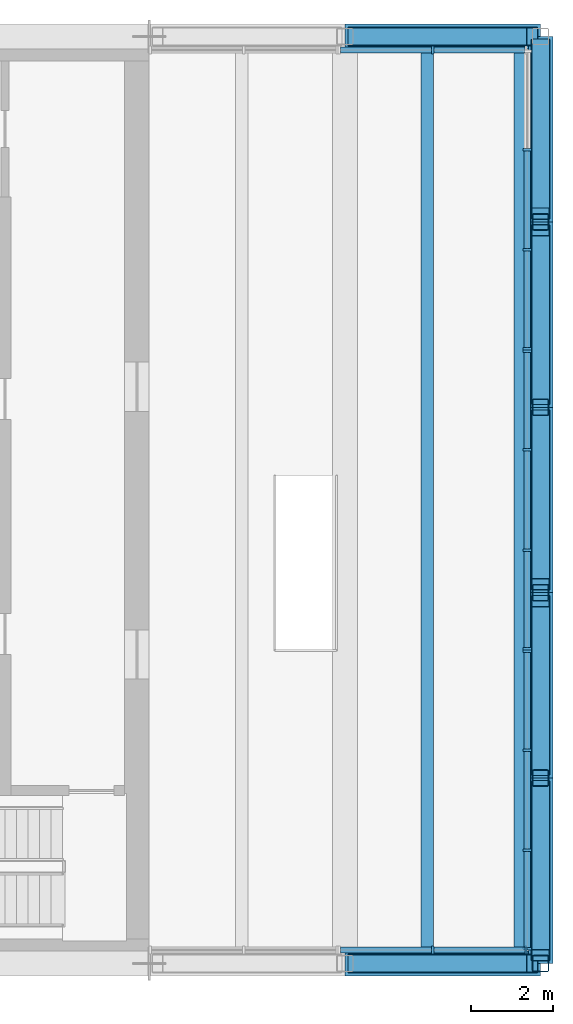
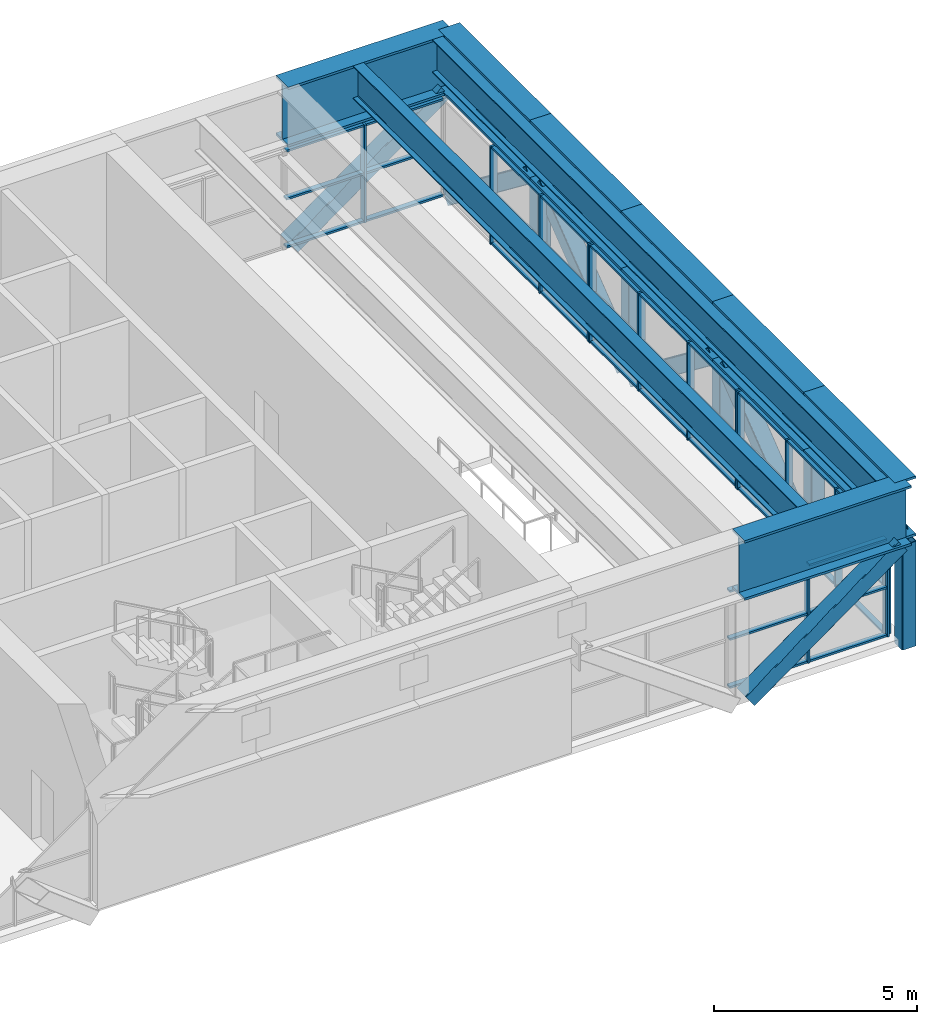
# One storey, part 5 of 12: 69 members, 2 beams, 5 elements without a shape of their own.
"""IFC4 building model written with IfcOpenShell, lengths in metres."""

import ifcopenshell
import ifcopenshell.guid

model = None  # the IFC model being written
_history = None  # IfcOwnerHistory: only IFC2X3 demands one
_inside = {}  # id of a spatial element -> (the spatial element, [elements in it])
_under = {}  # id of a project, library or spatial element -> (it, [spatial elements below it])
_declared = {}  # id of a project -> (the project, [libraries it declares])
_typed = {}  # id of a type object -> (the type object, [elements of that type])
_made_of = {}  # id of a material, layer set ... -> (it, [elements and type objects made of it])


def new_model(schema):
    """Start an empty IFC model of exactly this schema.

    Asked for "IFC4X3", IfcOpenShell would pick the latest addendum, in which some entities
    have other attributes; the version numbers below select the first issue.
    IFC2X3 requires an IfcOwnerHistory on every rooted entity: one is made here for all.
    """
    global model, _history
    if schema == "IFC4X3":
        model = ifcopenshell.file(schema_version=(4, 3, 0, 0))
    else:
        model = ifcopenshell.file(schema=schema)
    _inside.clear()
    _under.clear()
    _declared.clear()
    _typed.clear()
    _made_of.clear()
    _history = None
    if model.schema == "IFC2X3":
        org = make("IfcOrganization", Name="unknown")
        user = make(
            "IfcPersonAndOrganization",
            ThePerson=make("IfcPerson", FamilyName="unknown"),
            TheOrganization=org,
        )
        app = make(
            "IfcApplication",
            ApplicationDeveloper=org,
            Version="unknown",
            ApplicationFullName="unknown",
            ApplicationIdentifier="unknown",
        )
        _history = make(
            "IfcOwnerHistory",
            OwningUser=user,
            OwningApplication=app,
            ChangeAction="ADDED",
            CreationDate=0,
        )
    return model


def make(cls, **values):
    """One entity of the class cls with the attributes given. An attribute that is None is left unset."""
    return model.create_entity(
        cls, **{name: value for name, value in values.items() if value is not None}
    )


def rooted(cls, **values):
    """An entity with a GlobalId (a new one), such as an element, a storey or a relation."""
    return make(cls, GlobalId=ifcopenshell.guid.new(), OwnerHistory=_history, **values)


def si_unit(unit_type, name, prefix=None):
    """IfcSIUnit, for example si_unit("LENGTHUNIT", "METRE", prefix="MILLI")."""
    return make("IfcSIUnit", UnitType=unit_type, Prefix=prefix, Name=name)


def assignment(units):
    """IfcUnitAssignment: the units of a project."""
    return None if units is None else make("IfcUnitAssignment", Units=units)


def point(xyz):
    """IfcCartesianPoint."""
    return None if xyz is None else make("IfcCartesianPoint", Coordinates=xyz)


def direction(xyz):
    """IfcDirection."""
    return None if xyz is None else make("IfcDirection", DirectionRatios=xyz)


def frame(location, z_axis=None, x_axis=None):
    """IfcAxis2Placement3D, a coordinate frame: its origin and axes. An axis left out is left unset."""
    return make(
        "IfcAxis2Placement3D",
        Location=point(location),
        Axis=direction(z_axis),
        RefDirection=direction(x_axis),
    )


def frame_2d(location, x_axis=None):
    """IfcAxis2Placement2D, a coordinate frame in the plane: its origin and x axis."""
    return make(
        "IfcAxis2Placement2D", Location=point(location), RefDirection=direction(x_axis)
    )


def origin():
    """The frame at (0, 0, 0) with its axes left unset."""
    return frame((0.0, 0.0, 0.0))


def origin_2d():
    """The frame at (0, 0) in the plane with its x axis left unset."""
    return frame_2d((0.0, 0.0))


def place(relative_to, where):
    """IfcLocalPlacement: puts the frame where relative to a parent placement (None: the world)."""
    return make(
        "IfcLocalPlacement", PlacementRelTo=relative_to, RelativePlacement=where
    )


def context(
    kind, dimensions, precision=None, world=None, true_north=None, identifier=None
):
    """IfcGeometricRepresentationContext, for example the 3D "Model" context."""
    return make(
        "IfcGeometricRepresentationContext",
        ContextIdentifier=identifier,
        ContextType=kind,
        CoordinateSpaceDimension=dimensions,
        Precision=precision,
        WorldCoordinateSystem=world,
        TrueNorth=true_north,
    )


def subcontext(parent, identifier, kind, view, scale=None):
    """IfcGeometricRepresentationSubContext, for example "Body" below "Model"."""
    return make(
        "IfcGeometricRepresentationSubContext",
        ContextIdentifier=identifier,
        ContextType=kind,
        ParentContext=parent,
        TargetScale=scale,
        TargetView=view,
    )


def project(units=None, contexts=None):
    """IfcProject with its units and contexts."""
    return rooted(
        "IfcProject",
        Name="project",
        RepresentationContexts=contexts,
        UnitsInContext=assignment(units),
    )


def spatial(cls, under=None, at=None, **own):
    """A site, building, storey or space (cls), placed at a placement, below another one or the project."""
    s = rooted(cls, ObjectPlacement=at, **own)
    if under is not None:
        _under.setdefault(under.id(), (under, []))[1].append(s)
    return s


def profile(cls, at=None, kind="AREA", **sizes):
    """A parametric profile (cls). Its sizes go by their IFC names, for example OverallWidth=200.0."""
    return make(cls, ProfileType=kind, Position=at, **sizes)


def rectangle(**sizes):
    """IfcRectangleProfileDef."""
    return profile("IfcRectangleProfileDef", **sizes)


def hollow_rectangle(**sizes):
    """IfcRectangleHollowProfileDef."""
    return profile("IfcRectangleHollowProfileDef", **sizes)


def i_section(**sizes):
    """IfcIShapeProfileDef."""
    return profile("IfcIShapeProfileDef", **sizes)


def extrude(swept, where, along, depth):
    """IfcExtrudedAreaSolid: the profile swept, set in the frame where, extruded along a direction by depth."""
    return make(
        "IfcExtrudedAreaSolid",
        SweptArea=swept,
        Position=where,
        ExtrudedDirection=direction(along),
        Depth=depth,
    )


def shape(context_of_items, identifier, shape_type, items):
    """IfcShapeRepresentation: the items that make up one representation, for example the "Body"."""
    return make(
        "IfcShapeRepresentation",
        ContextOfItems=context_of_items,
        RepresentationIdentifier=identifier,
        RepresentationType=shape_type,
        Items=items,
    )


def material(Name=None, Category=None):
    """IfcMaterial."""
    return make("IfcMaterial", Name=Name, Category=Category)


def material_profile(
    of_material, cross_section, Name=None, Category=None, Priority=None
):
    """IfcMaterialProfile: a cross section and its material."""
    return make(
        "IfcMaterialProfile",
        Name=Name,
        Material=of_material,
        Profile=cross_section,
        Priority=Priority,
        Category=Category,
    )


def profile_set(profiles, Name=None, composite=None):
    """IfcMaterialProfileSet."""
    return make(
        "IfcMaterialProfileSet",
        Name=Name,
        MaterialProfiles=profiles,
        CompositeProfile=composite,
    )


def made_of(thing, what):
    """Note that an element or type object is made of a material, layer set ...; save() writes the relation."""
    if what is not None:
        _made_of.setdefault(what.id(), (what, []))[1].append(thing)
    return thing


def type_object(cls, material=None, **own):
    """A type object (cls), such as IfcWallType, which elements share."""
    return made_of(rooted(cls, **own), material)


def element(
    cls,
    number,
    at=None,
    inside=None,
    cuts=None,
    type_object=None,
    material=None,
    context=None,
    identifier="Body",
    shape_type=None,
    held_by="IfcProductDefinitionShape",
    body=None,
    shapes=None,
    **own,
):
    """One element of the class cls, such as IfcWall. Its Tag is "e" and its number.

    at: its placement. inside: the storey or other place that contains it. cuts: it is an
    opening in that element (IfcRelVoidsElement). A single representation is given by context,
    identifier, shape_type and body (its items); several are given by shapes. held_by: the class
    of the entity that holds the representations. save() writes the other relations.
    """
    e = rooted(cls, Tag="e%d" % number, ObjectPlacement=at, **own)
    if body is not None:
        shapes = [shape(context, identifier, shape_type, body)]
    if shapes is not None:
        e.Representation = make(held_by, Representations=shapes)
    if inside is not None:
        _inside.setdefault(inside.id(), (inside, []))[1].append(e)
    if cuts is not None:
        rooted(
            "IfcRelVoidsElement", RelatingBuildingElement=cuts, RelatedOpeningElement=e
        )
    if type_object is not None:
        _typed.setdefault(type_object.id(), (type_object, []))[1].append(e)
    return made_of(e, material)


def aggregate(whole, parts):
    """IfcRelAggregates: a whole, such as a stair, and the parts it consists of."""
    return rooted("IfcRelAggregates", RelatingObject=whole, RelatedObjects=parts)


def save(model, path):
    """Write the relations noted so far, then the file.

    IfcRelAggregates (storeys below a building ...), IfcRelContainedInSpatialStructure (elements
    in a storey), IfcRelDefinesByType, IfcRelAssociatesMaterial and IfcRelDeclares: one each for
    every whole, place, type object, material and project.
    """
    for whole, parts in _under.values():
        aggregate(whole, parts)
    for where, things in _inside.values():
        rooted(
            "IfcRelContainedInSpatialStructure",
            RelatedElements=things,
            RelatingStructure=where,
        )
    for kind, things in _typed.values():
        rooted("IfcRelDefinesByType", RelatedObjects=things, RelatingType=kind)
    for what, things in _made_of.values():
        rooted("IfcRelAssociatesMaterial", RelatedObjects=things, RelatingMaterial=what)
    for by, libraries in _declared.values():
        rooted("IfcRelDeclares", RelatingContext=by, RelatedDefinitions=libraries)
    model.write(path)


model = new_model("IFC4")

# Units and contexts
model_context = context("Model", 3, precision=1e-05, world=origin(), true_north=direction((0.0, 1.0)))
body_context = subcontext(model_context, "Body", "Model", "MODEL_VIEW")
ifc_project = project(units=[si_unit("LENGTHUNIT", "METRE"), si_unit("AREAUNIT", "SQUARE_METRE"), si_unit("VOLUMEUNIT", "CUBIC_METRE"), si_unit("PLANEANGLEUNIT", "RADIAN"), si_unit("MASSUNIT", "GRAM", prefix="KILO")], contexts=[model_context])

# Site, building, storey
site_placement = place(None, origin())
site = spatial("IfcSite", under=ifc_project, at=site_placement, CompositionType="ELEMENT")
building_placement = place(site_placement, origin())
building = spatial("IfcBuilding", under=site, at=building_placement, Name="Sennacour Bend Tower", CompositionType="ELEMENT")
storey_placement = place(building_placement, frame((0.0, 0.0, 350.5)))
storey = spatial("IfcBuildingStorey", under=building, at=storey_placement, Name="L80", CompositionType="ELEMENT", Elevation=350.5)

# Curtain wall, members
ifc_material_1 = material(Name="Bronze anodised aluminium curtain wall with clear glass", Category="aluminium")
curtain_wall_type = type_object("IfcCurtainWallType", Name="CURTAIN WALL LOUNGE", PredefinedType="NOTDEFINED", material=ifc_material_1)
curtain_wall_1_placement = place(storey_placement, origin())
curtain_wall_1 = element("IfcCurtainWall", 1, at=curtain_wall_1_placement, inside=storey, type_object=curtain_wall_type, Name="Sky lounge glass wall L80", PredefinedType="NOTDEFINED")
ifc_material_2 = material(Name="Aluminium 6063-T6", Category="aluminium")
ifc_material_profile_1 = material_profile(ifc_material_2, rectangle(XDim=0.199951171875, YDim=0.06005859375, at=origin_2d()), Name="Aluminium 6063-T6", Category="aluminium")
ifc_profile_set_1 = profile_set([ifc_material_profile_1], Name="Aluminium 6063-T6")
member_type_1 = type_object("IfcMemberType", Name="CW-MULLION-200X60", PredefinedType="MULLION", material=ifc_profile_set_1)
member_1_placement = place(storey_placement, frame((76.675048828125, 0.35498046875, 0.0), z_axis=(0.0, 0.0, 1.0), x_axis=(-1.0, 0.0, 0.0)))
member_1 = element("IfcMember", 2, at=member_1_placement, type_object=member_type_1, Name="GW4 curtain wall mullion 1", PredefinedType="MULLION", context=body_context, shape_type="SweptSolid", body=[
    extrude(rectangle(XDim=0.199951171875, YDim=0.06005859375, at=origin_2d()), origin(), (0.0, 0.0, 1.0), 2.9501953125),
])
member_2_placement = place(storey_placement, frame((76.675048828125, 2.752685546875, 0.0), z_axis=(0.0, 0.0, 1.0), x_axis=(-1.0, 0.0, 0.0)))
member_2 = element("IfcMember", 3, at=member_2_placement, type_object=member_type_1, Name="GW4 curtain wall mullion 2", PredefinedType="MULLION", context=body_context, shape_type="SweptSolid", body=[
    extrude(rectangle(XDim=0.199951171875, YDim=0.06005859375, at=origin_2d()), origin(), (0.0, 0.0, 1.0), 2.9501953125),
])
member_3_placement = place(storey_placement, frame((76.675048828125, 5.180419921875, 0.0), z_axis=(0.0, 0.0, 1.0), x_axis=(-1.0, 0.0, 0.0)))
member_3 = element("IfcMember", 4, at=member_3_placement, type_object=member_type_1, Name="GW4 curtain wall mullion 3", PredefinedType="MULLION", context=body_context, shape_type="SweptSolid", body=[
    extrude(rectangle(XDim=0.199951171875, YDim=0.06005859375, at=origin_2d()), origin(), (0.0, 0.0, 1.0), 2.9501953125),
])
member_4_placement = place(storey_placement, frame((76.675048828125, 7.578369140625, 0.0), z_axis=(0.0, 0.0, 1.0), x_axis=(-1.0, 0.0, 0.0)))
member_4 = element("IfcMember", 5, at=member_4_placement, type_object=member_type_1, Name="GW4 curtain wall mullion 4", PredefinedType="MULLION", context=body_context, shape_type="SweptSolid", body=[
    extrude(rectangle(XDim=0.199951171875, YDim=0.06005859375, at=origin_2d()), origin(), (0.0, 0.0, 1.0), 2.9501953125),
])

curtain_wall_2_placement = place(storey_placement, origin())
curtain_wall_2 = element("IfcCurtainWall", 6, at=curtain_wall_2_placement, inside=storey, type_object=curtain_wall_type, Name="Sky lounge glass wall L80", PredefinedType="NOTDEFINED")
member_5_placement = place(storey_placement, frame((76.675048828125, 7.63818359375, 0.0), z_axis=(0.0, 0.0, 1.0), x_axis=(-1.0, 0.0, 0.0)))
member_5 = element("IfcMember", 7, at=member_5_placement, type_object=member_type_1, Name="GW4 curtain wall mullion 1", PredefinedType="MULLION", context=body_context, shape_type="SweptSolid", body=[
    extrude(rectangle(XDim=0.199951171875, YDim=0.06005859375, at=origin_2d()), origin(), (0.0, 0.0, 1.0), 2.9501953125),
])
member_6_placement = place(storey_placement, frame((76.675048828125, 10.0361328125, 0.0), z_axis=(0.0, 0.0, 1.0), x_axis=(-1.0, 0.0, 0.0)))
member_6 = element("IfcMember", 8, at=member_6_placement, type_object=member_type_1, Name="GW4 curtain wall mullion 2", PredefinedType="MULLION", context=body_context, shape_type="SweptSolid", body=[
    extrude(rectangle(XDim=0.199951171875, YDim=0.06005859375, at=origin_2d()), origin(), (0.0, 0.0, 1.0), 2.9501953125),
])
member_7_placement = place(storey_placement, frame((76.675048828125, 12.4638671875, 0.0), z_axis=(0.0, 0.0, 1.0), x_axis=(-1.0, 0.0, 0.0)))
member_7 = element("IfcMember", 9, at=member_7_placement, type_object=member_type_1, Name="GW4 curtain wall mullion 3", PredefinedType="MULLION", context=body_context, shape_type="SweptSolid", body=[
    extrude(rectangle(XDim=0.199951171875, YDim=0.06005859375, at=origin_2d()), origin(), (0.0, 0.0, 1.0), 2.9501953125),
])
member_8_placement = place(storey_placement, frame((76.675048828125, 14.86181640625, 0.0), z_axis=(0.0, 0.0, 1.0), x_axis=(-1.0, 0.0, 0.0)))
member_8 = element("IfcMember", 10, at=member_8_placement, type_object=member_type_1, Name="GW4 curtain wall mullion 4", PredefinedType="MULLION", context=body_context, shape_type="SweptSolid", body=[
    extrude(rectangle(XDim=0.199951171875, YDim=0.06005859375, at=origin_2d()), origin(), (0.0, 0.0, 1.0), 2.9501953125),
])

curtain_wall_3_placement = place(storey_placement, origin())
curtain_wall_3 = element("IfcCurtainWall", 11, at=curtain_wall_3_placement, inside=storey, type_object=curtain_wall_type, Name="Sky lounge glass wall L80", PredefinedType="NOTDEFINED")
member_9_placement = place(storey_placement, frame((76.675048828125, 14.921630859375, 0.0), z_axis=(0.0, 0.0, 1.0), x_axis=(-1.0, 0.0, 0.0)))
member_9 = element("IfcMember", 12, at=member_9_placement, type_object=member_type_1, Name="GW4 curtain wall mullion 1", PredefinedType="MULLION", context=body_context, shape_type="SweptSolid", body=[
    extrude(rectangle(XDim=0.199951171875, YDim=0.06005859375, at=origin_2d()), origin(), (0.0, 0.0, 1.0), 2.9501953125),
])
member_10_placement = place(storey_placement, frame((76.675048828125, 17.319580078125, 0.0), z_axis=(0.0, 0.0, 1.0), x_axis=(-1.0, 0.0, 0.0)))
member_10 = element("IfcMember", 13, at=member_10_placement, type_object=member_type_1, Name="GW4 curtain wall mullion 2", PredefinedType="MULLION", context=body_context, shape_type="SweptSolid", body=[
    extrude(rectangle(XDim=0.199951171875, YDim=0.06005859375, at=origin_2d()), origin(), (0.0, 0.0, 1.0), 2.9501953125),
])
member_11_placement = place(storey_placement, frame((76.675048828125, 19.747314453125, 0.0), z_axis=(0.0, 0.0, 1.0), x_axis=(-1.0, 0.0, 0.0)))
member_11 = element("IfcMember", 14, at=member_11_placement, type_object=member_type_1, Name="GW4 curtain wall mullion 3", PredefinedType="MULLION", context=body_context, shape_type="SweptSolid", body=[
    extrude(rectangle(XDim=0.199951171875, YDim=0.06005859375, at=origin_2d()), origin(), (0.0, 0.0, 1.0), 2.9501953125),
])

# Curtain wall, member
curtain_wall_4_placement = place(storey_placement, origin())
curtain_wall_4 = element("IfcCurtainWall", 15, at=curtain_wall_4_placement, inside=storey, type_object=curtain_wall_type, Name="Sky lounge glass wall L80", PredefinedType="NOTDEFINED")
member_12_placement = place(storey_placement, frame((74.381591796875, 22.175048828125, 0.0), z_axis=(0.0, 0.0, 1.0), x_axis=(0.0, -1.0, 0.0)))
member_12 = element("IfcMember", 16, at=member_12_placement, type_object=member_type_1, Name="GW4 curtain wall mullion 2", PredefinedType="MULLION", context=body_context, shape_type="SweptSolid", body=[
    extrude(rectangle(XDim=0.199951171875, YDim=0.06005859375, at=origin_2d()), origin(), (0.0, 0.0, 1.0), 2.9501953125),
])

# Curtain wall, members
curtain_wall_5_placement = place(storey_placement, origin())
curtain_wall_5 = element("IfcCurtainWall", 17, at=curtain_wall_5_placement, inside=storey, type_object=curtain_wall_type, Name="Sky lounge glass wall L80", PredefinedType="NOTDEFINED")
member_13_placement = place(storey_placement, frame((74.381591796875, 0.324951171875, 0.0), z_axis=(0.0, 0.0, 1.0), x_axis=(0.0, 1.0, 0.0)))
member_13 = element("IfcMember", 18, at=member_13_placement, type_object=member_type_1, Name="GW4 curtain wall mullion 2", PredefinedType="MULLION", context=body_context, shape_type="SweptSolid", body=[
    extrude(rectangle(XDim=0.199951171875, YDim=0.06005859375, at=origin_2d()), origin(), (0.0, 0.0, 1.0), 2.9501953125),
])
member_14_placement = place(storey_placement, frame((76.64501953125, 0.324951171875, 0.0), z_axis=(0.0, 0.0, 1.0), x_axis=(0.0, 1.0, 0.0)))
member_14 = element("IfcMember", 19, at=member_14_placement, type_object=member_type_1, Name="GW4 curtain wall mullion 3", PredefinedType="MULLION", context=body_context, shape_type="SweptSolid", body=[
    extrude(rectangle(XDim=0.199951171875, YDim=0.06005859375, at=origin_2d()), origin(), (0.0, 0.0, 1.0), 2.9501953125),
])

# Member
ifc_material_profile_2 = material_profile(ifc_material_2, rectangle(XDim=0.14990234375, YDim=0.06005859375, at=origin_2d()), Name="Aluminium 6063-T6", Category="aluminium")
ifc_profile_set_2 = profile_set([ifc_material_profile_2], Name="Aluminium 6063-T6")
member_type_2 = type_object("IfcMemberType", Name="CW-TRANSOM-150X60", PredefinedType="USERDEFINED", material=ifc_profile_set_2)
member_15_placement = place(storey_placement, frame((76.675048828125, 0.385009765625, 0.030029296875), z_axis=(0.0, 1.0, 0.0), x_axis=(-1.0, 0.0, 0.0)))
member_15 = element("IfcMember", 20, at=member_15_placement, type_object=member_type_2, Name="GW4 curtain wall transom 1.1", ObjectType="TRANSOM", PredefinedType="USERDEFINED", context=body_context, shape_type="SweptSolid", body=[
    extrude(rectangle(XDim=0.14990234375, YDim=0.06005859375, at=origin_2d()), origin(), (0.0, 0.0, 1.0), 2.337646484375),
])

member_16_placement = place(storey_placement, frame((76.675048828125, 0.385009765625, 1.47509765625), z_axis=(0.0, 1.0, 0.0), x_axis=(-1.0, 0.0, 0.0)))
member_16 = element("IfcMember", 21, at=member_16_placement, type_object=member_type_2, Name="GW4 curtain wall transom 1.2", ObjectType="TRANSOM", PredefinedType="USERDEFINED", context=body_context, shape_type="SweptSolid", body=[
    extrude(rectangle(XDim=0.14990234375, YDim=0.06005859375, at=origin_2d()), origin(), (0.0, 0.0, 1.0), 2.337646484375),
])

member_17_placement = place(storey_placement, frame((76.675048828125, 0.385009765625, 2.920166015625), z_axis=(0.0, 1.0, 0.0), x_axis=(-1.0, 0.0, 0.0)))
member_17 = element("IfcMember", 22, at=member_17_placement, type_object=member_type_2, Name="GW4 curtain wall transom 1.3", ObjectType="TRANSOM", PredefinedType="USERDEFINED", context=body_context, shape_type="SweptSolid", body=[
    extrude(rectangle(XDim=0.14990234375, YDim=0.06005859375, at=origin_2d()), origin(), (0.0, 0.0, 1.0), 2.337646484375),
])

member_18_placement = place(storey_placement, frame((76.675048828125, 2.78271484375, 0.030029296875), z_axis=(0.0, 1.0, 0.0), x_axis=(-1.0, 0.0, 0.0)))
member_18 = element("IfcMember", 23, at=member_18_placement, type_object=member_type_2, Name="GW4 curtain wall transom 2.1", ObjectType="TRANSOM", PredefinedType="USERDEFINED", context=body_context, shape_type="SweptSolid", body=[
    extrude(rectangle(XDim=0.14990234375, YDim=0.06005859375, at=origin_2d()), origin(), (0.0, 0.0, 1.0), 2.367919921875),
])

member_19_placement = place(storey_placement, frame((76.675048828125, 2.78271484375, 1.47509765625), z_axis=(0.0, 1.0, 0.0), x_axis=(-1.0, 0.0, 0.0)))
member_19 = element("IfcMember", 24, at=member_19_placement, type_object=member_type_2, Name="GW4 curtain wall transom 2.2", ObjectType="TRANSOM", PredefinedType="USERDEFINED", context=body_context, shape_type="SweptSolid", body=[
    extrude(rectangle(XDim=0.14990234375, YDim=0.06005859375, at=origin_2d()), origin(), (0.0, 0.0, 1.0), 2.367919921875),
])

member_20_placement = place(storey_placement, frame((76.675048828125, 2.78271484375, 2.920166015625), z_axis=(0.0, 1.0, 0.0), x_axis=(-1.0, 0.0, 0.0)))
member_20 = element("IfcMember", 25, at=member_20_placement, type_object=member_type_2, Name="GW4 curtain wall transom 2.3", ObjectType="TRANSOM", PredefinedType="USERDEFINED", context=body_context, shape_type="SweptSolid", body=[
    extrude(rectangle(XDim=0.14990234375, YDim=0.06005859375, at=origin_2d()), origin(), (0.0, 0.0, 1.0), 2.367919921875),
])

member_21_placement = place(storey_placement, frame((76.675048828125, 5.21044921875, 0.030029296875), z_axis=(0.0, 1.0, 0.0), x_axis=(-1.0, 0.0, 0.0)))
member_21 = element("IfcMember", 26, at=member_21_placement, type_object=member_type_2, Name="GW4 curtain wall transom 3.1", ObjectType="TRANSOM", PredefinedType="USERDEFINED", context=body_context, shape_type="SweptSolid", body=[
    extrude(rectangle(XDim=0.14990234375, YDim=0.06005859375, at=origin_2d()), origin(), (0.0, 0.0, 1.0), 2.337890625),
])

member_22_placement = place(storey_placement, frame((76.675048828125, 5.21044921875, 1.47509765625), z_axis=(0.0, 1.0, 0.0), x_axis=(-1.0, 0.0, 0.0)))
member_22 = element("IfcMember", 27, at=member_22_placement, type_object=member_type_2, Name="GW4 curtain wall transom 3.2", ObjectType="TRANSOM", PredefinedType="USERDEFINED", context=body_context, shape_type="SweptSolid", body=[
    extrude(rectangle(XDim=0.14990234375, YDim=0.06005859375, at=origin_2d()), origin(), (0.0, 0.0, 1.0), 2.337890625),
])

member_23_placement = place(storey_placement, frame((76.675048828125, 5.21044921875, 2.920166015625), z_axis=(0.0, 1.0, 0.0), x_axis=(-1.0, 0.0, 0.0)))
member_23 = element("IfcMember", 28, at=member_23_placement, type_object=member_type_2, Name="GW4 curtain wall transom 3.3", ObjectType="TRANSOM", PredefinedType="USERDEFINED", context=body_context, shape_type="SweptSolid", body=[
    extrude(rectangle(XDim=0.14990234375, YDim=0.06005859375, at=origin_2d()), origin(), (0.0, 0.0, 1.0), 2.337890625),
])

aggregate(curtain_wall_1, [member_1, member_2, member_3, member_4, member_15, member_16, member_17, member_18, member_19, member_20, member_21, member_22, member_23])

member_24_placement = place(storey_placement, frame((76.675048828125, 7.668212890625, 0.030029296875), z_axis=(0.0, 1.0, 0.0), x_axis=(-1.0, 0.0, 0.0)))
member_24 = element("IfcMember", 29, at=member_24_placement, type_object=member_type_2, Name="GW4 curtain wall transom 1.1", ObjectType="TRANSOM", PredefinedType="USERDEFINED", context=body_context, shape_type="SweptSolid", body=[
    extrude(rectangle(XDim=0.14990234375, YDim=0.06005859375, at=origin_2d()), origin(), (0.0, 0.0, 1.0), 2.337890625),
])

member_25_placement = place(storey_placement, frame((76.675048828125, 7.668212890625, 1.47509765625), z_axis=(0.0, 1.0, 0.0), x_axis=(-1.0, 0.0, 0.0)))
member_25 = element("IfcMember", 30, at=member_25_placement, type_object=member_type_2, Name="GW4 curtain wall transom 1.2", ObjectType="TRANSOM", PredefinedType="USERDEFINED", context=body_context, shape_type="SweptSolid", body=[
    extrude(rectangle(XDim=0.14990234375, YDim=0.06005859375, at=origin_2d()), origin(), (0.0, 0.0, 1.0), 2.337890625),
])

member_26_placement = place(storey_placement, frame((76.675048828125, 7.668212890625, 2.920166015625), z_axis=(0.0, 1.0, 0.0), x_axis=(-1.0, 0.0, 0.0)))
member_26 = element("IfcMember", 31, at=member_26_placement, type_object=member_type_2, Name="GW4 curtain wall transom 1.3", ObjectType="TRANSOM", PredefinedType="USERDEFINED", context=body_context, shape_type="SweptSolid", body=[
    extrude(rectangle(XDim=0.14990234375, YDim=0.06005859375, at=origin_2d()), origin(), (0.0, 0.0, 1.0), 2.337890625),
])

member_27_placement = place(storey_placement, frame((76.675048828125, 10.066162109375, 0.030029296875), z_axis=(0.0, 1.0, 0.0), x_axis=(-1.0, 0.0, 0.0)))
member_27 = element("IfcMember", 32, at=member_27_placement, type_object=member_type_2, Name="GW4 curtain wall transom 2.1", ObjectType="TRANSOM", PredefinedType="USERDEFINED", context=body_context, shape_type="SweptSolid", body=[
    extrude(rectangle(XDim=0.14990234375, YDim=0.06005859375, at=origin_2d()), origin(), (0.0, 0.0, 1.0), 2.36767578125),
])

member_28_placement = place(storey_placement, frame((76.675048828125, 10.066162109375, 1.47509765625), z_axis=(0.0, 1.0, 0.0), x_axis=(-1.0, 0.0, 0.0)))
member_28 = element("IfcMember", 33, at=member_28_placement, type_object=member_type_2, Name="GW4 curtain wall transom 2.2", ObjectType="TRANSOM", PredefinedType="USERDEFINED", context=body_context, shape_type="SweptSolid", body=[
    extrude(rectangle(XDim=0.14990234375, YDim=0.06005859375, at=origin_2d()), origin(), (0.0, 0.0, 1.0), 2.36767578125),
])

member_29_placement = place(storey_placement, frame((76.675048828125, 10.066162109375, 2.920166015625), z_axis=(0.0, 1.0, 0.0), x_axis=(-1.0, 0.0, 0.0)))
member_29 = element("IfcMember", 34, at=member_29_placement, type_object=member_type_2, Name="GW4 curtain wall transom 2.3", ObjectType="TRANSOM", PredefinedType="USERDEFINED", context=body_context, shape_type="SweptSolid", body=[
    extrude(rectangle(XDim=0.14990234375, YDim=0.06005859375, at=origin_2d()), origin(), (0.0, 0.0, 1.0), 2.36767578125),
])

member_30_placement = place(storey_placement, frame((76.675048828125, 12.493896484375, 0.030029296875), z_axis=(0.0, 1.0, 0.0), x_axis=(-1.0, 0.0, 0.0)))
member_30 = element("IfcMember", 35, at=member_30_placement, type_object=member_type_2, Name="GW4 curtain wall transom 3.1", ObjectType="TRANSOM", PredefinedType="USERDEFINED", context=body_context, shape_type="SweptSolid", body=[
    extrude(rectangle(XDim=0.14990234375, YDim=0.06005859375, at=origin_2d()), origin(), (0.0, 0.0, 1.0), 2.337890625),
])

member_31_placement = place(storey_placement, frame((76.675048828125, 12.493896484375, 1.47509765625), z_axis=(0.0, 1.0, 0.0), x_axis=(-1.0, 0.0, 0.0)))
member_31 = element("IfcMember", 36, at=member_31_placement, type_object=member_type_2, Name="GW4 curtain wall transom 3.2", ObjectType="TRANSOM", PredefinedType="USERDEFINED", context=body_context, shape_type="SweptSolid", body=[
    extrude(rectangle(XDim=0.14990234375, YDim=0.06005859375, at=origin_2d()), origin(), (0.0, 0.0, 1.0), 2.337890625),
])

member_32_placement = place(storey_placement, frame((76.675048828125, 12.493896484375, 2.920166015625), z_axis=(0.0, 1.0, 0.0), x_axis=(-1.0, 0.0, 0.0)))
member_32 = element("IfcMember", 37, at=member_32_placement, type_object=member_type_2, Name="GW4 curtain wall transom 3.3", ObjectType="TRANSOM", PredefinedType="USERDEFINED", context=body_context, shape_type="SweptSolid", body=[
    extrude(rectangle(XDim=0.14990234375, YDim=0.06005859375, at=origin_2d()), origin(), (0.0, 0.0, 1.0), 2.337890625),
])

aggregate(curtain_wall_2, [member_5, member_6, member_7, member_8, member_24, member_25, member_26, member_27, member_28, member_29, member_30, member_31, member_32])

member_33_placement = place(storey_placement, frame((76.675048828125, 14.95166015625, 0.030029296875), z_axis=(0.0, 1.0, 0.0), x_axis=(-1.0, 0.0, 0.0)))
member_33 = element("IfcMember", 38, at=member_33_placement, type_object=member_type_2, Name="GW4 curtain wall transom 1.1", ObjectType="TRANSOM", PredefinedType="USERDEFINED", context=body_context, shape_type="SweptSolid", body=[
    extrude(rectangle(XDim=0.14990234375, YDim=0.06005859375, at=origin_2d()), origin(), (0.0, 0.0, 1.0), 2.337890625),
])

member_34_placement = place(storey_placement, frame((76.675048828125, 14.95166015625, 1.47509765625), z_axis=(0.0, 1.0, 0.0), x_axis=(-1.0, 0.0, 0.0)))
member_34 = element("IfcMember", 39, at=member_34_placement, type_object=member_type_2, Name="GW4 curtain wall transom 1.2", ObjectType="TRANSOM", PredefinedType="USERDEFINED", context=body_context, shape_type="SweptSolid", body=[
    extrude(rectangle(XDim=0.14990234375, YDim=0.06005859375, at=origin_2d()), origin(), (0.0, 0.0, 1.0), 2.337890625),
])

member_35_placement = place(storey_placement, frame((76.675048828125, 14.95166015625, 2.920166015625), z_axis=(0.0, 1.0, 0.0), x_axis=(-1.0, 0.0, 0.0)))
member_35 = element("IfcMember", 40, at=member_35_placement, type_object=member_type_2, Name="GW4 curtain wall transom 1.3", ObjectType="TRANSOM", PredefinedType="USERDEFINED", context=body_context, shape_type="SweptSolid", body=[
    extrude(rectangle(XDim=0.14990234375, YDim=0.06005859375, at=origin_2d()), origin(), (0.0, 0.0, 1.0), 2.337890625),
])

member_36_placement = place(storey_placement, frame((76.675048828125, 17.349365234375, 0.030029296875), z_axis=(0.0, 1.0, 0.0), x_axis=(-1.0, 0.0, 0.0)))
member_36 = element("IfcMember", 41, at=member_36_placement, type_object=member_type_2, Name="GW4 curtain wall transom 2.1", ObjectType="TRANSOM", PredefinedType="USERDEFINED", context=body_context, shape_type="SweptSolid", body=[
    extrude(rectangle(XDim=0.14990234375, YDim=0.06005859375, at=origin_2d()), origin(), (0.0, 0.0, 1.0), 2.367919921875),
])

member_37_placement = place(storey_placement, frame((76.675048828125, 17.349365234375, 1.47509765625), z_axis=(0.0, 1.0, 0.0), x_axis=(-1.0, 0.0, 0.0)))
member_37 = element("IfcMember", 42, at=member_37_placement, type_object=member_type_2, Name="GW4 curtain wall transom 2.2", ObjectType="TRANSOM", PredefinedType="USERDEFINED", context=body_context, shape_type="SweptSolid", body=[
    extrude(rectangle(XDim=0.14990234375, YDim=0.06005859375, at=origin_2d()), origin(), (0.0, 0.0, 1.0), 2.367919921875),
])

member_38_placement = place(storey_placement, frame((76.675048828125, 17.349365234375, 2.920166015625), z_axis=(0.0, 1.0, 0.0), x_axis=(-1.0, 0.0, 0.0)))
member_38 = element("IfcMember", 43, at=member_38_placement, type_object=member_type_2, Name="GW4 curtain wall transom 2.3", ObjectType="TRANSOM", PredefinedType="USERDEFINED", context=body_context, shape_type="SweptSolid", body=[
    extrude(rectangle(XDim=0.14990234375, YDim=0.06005859375, at=origin_2d()), origin(), (0.0, 0.0, 1.0), 2.367919921875),
])

aggregate(curtain_wall_3, [member_9, member_10, member_11, member_33, member_34, member_35, member_36, member_37, member_38])

member_39_placement = place(storey_placement, frame((76.614990234375, 22.175048828125, 0.030029296875), z_axis=(-1.0, 0.0, 0.0), x_axis=(0.0, -1.0, 0.0)))
member_39 = element("IfcMember", 44, at=member_39_placement, type_object=member_type_2, Name="GW4 curtain wall transom 1.1", ObjectType="TRANSOM", PredefinedType="USERDEFINED", context=body_context, shape_type="SweptSolid", body=[
    extrude(rectangle(XDim=0.14990234375, YDim=0.06005859375, at=origin_2d()), origin(), (0.0, 0.0, 1.0), 2.203369140625),
])

member_40_placement = place(storey_placement, frame((76.614990234375, 22.175048828125, 1.47509765625), z_axis=(-1.0, 0.0, 0.0), x_axis=(0.0, -1.0, 0.0)))
member_40 = element("IfcMember", 45, at=member_40_placement, type_object=member_type_2, Name="GW4 curtain wall transom 1.2", ObjectType="TRANSOM", PredefinedType="USERDEFINED", context=body_context, shape_type="SweptSolid", body=[
    extrude(rectangle(XDim=0.14990234375, YDim=0.06005859375, at=origin_2d()), origin(), (0.0, 0.0, 1.0), 2.203369140625),
])

member_41_placement = place(storey_placement, frame((76.614990234375, 22.175048828125, 2.920166015625), z_axis=(-1.0, 0.0, 0.0), x_axis=(0.0, -1.0, 0.0)))
member_41 = element("IfcMember", 46, at=member_41_placement, type_object=member_type_2, Name="GW4 curtain wall transom 1.3", ObjectType="TRANSOM", PredefinedType="USERDEFINED", context=body_context, shape_type="SweptSolid", body=[
    extrude(rectangle(XDim=0.14990234375, YDim=0.06005859375, at=origin_2d()), origin(), (0.0, 0.0, 1.0), 2.203369140625),
])

member_42_placement = place(storey_placement, frame((74.3515625, 22.175048828125, 0.030029296875), z_axis=(-1.0, 0.0, 0.0), x_axis=(0.0, -1.0, 0.0)))
member_42 = element("IfcMember", 47, at=member_42_placement, type_object=member_type_2, Name="GW4 curtain wall transom 2.1", ObjectType="TRANSOM", PredefinedType="USERDEFINED", context=body_context, shape_type="SweptSolid", body=[
    extrude(rectangle(XDim=0.14990234375, YDim=0.06005859375, at=origin_2d()), origin(), (0.0, 0.0, 1.0), 2.20361328125),
])

member_43_placement = place(storey_placement, frame((74.3515625, 22.175048828125, 1.47509765625), z_axis=(-1.0, 0.0, 0.0), x_axis=(0.0, -1.0, 0.0)))
member_43 = element("IfcMember", 48, at=member_43_placement, type_object=member_type_2, Name="GW4 curtain wall transom 2.2", ObjectType="TRANSOM", PredefinedType="USERDEFINED", context=body_context, shape_type="SweptSolid", body=[
    extrude(rectangle(XDim=0.14990234375, YDim=0.06005859375, at=origin_2d()), origin(), (0.0, 0.0, 1.0), 2.20361328125),
])

member_44_placement = place(storey_placement, frame((74.3515625, 22.175048828125, 2.920166015625), z_axis=(-1.0, 0.0, 0.0), x_axis=(0.0, -1.0, 0.0)))
member_44 = element("IfcMember", 49, at=member_44_placement, type_object=member_type_2, Name="GW4 curtain wall transom 2.3", ObjectType="TRANSOM", PredefinedType="USERDEFINED", context=body_context, shape_type="SweptSolid", body=[
    extrude(rectangle(XDim=0.14990234375, YDim=0.06005859375, at=origin_2d()), origin(), (0.0, 0.0, 1.0), 2.20361328125),
])

aggregate(curtain_wall_4, [member_12, member_39, member_40, member_41, member_42, member_43, member_44])

member_45_placement = place(storey_placement, frame((72.14794921875, 0.324951171875, 0.030029296875), z_axis=(1.0, 0.0, 0.0), x_axis=(0.0, 1.0, 0.0)))
member_45 = element("IfcMember", 50, at=member_45_placement, type_object=member_type_2, Name="GW4 curtain wall transom 1.1", ObjectType="TRANSOM", PredefinedType="USERDEFINED", context=body_context, shape_type="SweptSolid", body=[
    extrude(rectangle(XDim=0.14990234375, YDim=0.06005859375, at=origin_2d()), origin(), (0.0, 0.0, 1.0), 2.20361328125),
])

member_46_placement = place(storey_placement, frame((72.14794921875, 0.324951171875, 1.47509765625), z_axis=(1.0, 0.0, 0.0), x_axis=(0.0, 1.0, 0.0)))
member_46 = element("IfcMember", 51, at=member_46_placement, type_object=member_type_2, Name="GW4 curtain wall transom 1.2", ObjectType="TRANSOM", PredefinedType="USERDEFINED", context=body_context, shape_type="SweptSolid", body=[
    extrude(rectangle(XDim=0.14990234375, YDim=0.06005859375, at=origin_2d()), origin(), (0.0, 0.0, 1.0), 2.20361328125),
])

member_47_placement = place(storey_placement, frame((72.14794921875, 0.324951171875, 2.920166015625), z_axis=(1.0, 0.0, 0.0), x_axis=(0.0, 1.0, 0.0)))
member_47 = element("IfcMember", 52, at=member_47_placement, type_object=member_type_2, Name="GW4 curtain wall transom 1.3", ObjectType="TRANSOM", PredefinedType="USERDEFINED", context=body_context, shape_type="SweptSolid", body=[
    extrude(rectangle(XDim=0.14990234375, YDim=0.06005859375, at=origin_2d()), origin(), (0.0, 0.0, 1.0), 2.20361328125),
])

member_48_placement = place(storey_placement, frame((74.41162109375, 0.324951171875, 0.030029296875), z_axis=(1.0, 0.0, 0.0), x_axis=(0.0, 1.0, 0.0)))
member_48 = element("IfcMember", 53, at=member_48_placement, type_object=member_type_2, Name="GW4 curtain wall transom 2.1", ObjectType="TRANSOM", PredefinedType="USERDEFINED", context=body_context, shape_type="SweptSolid", body=[
    extrude(rectangle(XDim=0.14990234375, YDim=0.06005859375, at=origin_2d()), origin(), (0.0, 0.0, 1.0), 2.203369140625),
])

member_49_placement = place(storey_placement, frame((74.41162109375, 0.324951171875, 1.47509765625), z_axis=(1.0, 0.0, 0.0), x_axis=(0.0, 1.0, 0.0)))
member_49 = element("IfcMember", 54, at=member_49_placement, type_object=member_type_2, Name="GW4 curtain wall transom 2.2", ObjectType="TRANSOM", PredefinedType="USERDEFINED", context=body_context, shape_type="SweptSolid", body=[
    extrude(rectangle(XDim=0.14990234375, YDim=0.06005859375, at=origin_2d()), origin(), (0.0, 0.0, 1.0), 2.203369140625),
])

member_50_placement = place(storey_placement, frame((74.41162109375, 0.324951171875, 2.920166015625), z_axis=(1.0, 0.0, 0.0), x_axis=(0.0, 1.0, 0.0)))
member_50 = element("IfcMember", 55, at=member_50_placement, type_object=member_type_2, Name="GW4 curtain wall transom 2.3", ObjectType="TRANSOM", PredefinedType="USERDEFINED", context=body_context, shape_type="SweptSolid", body=[
    extrude(rectangle(XDim=0.14990234375, YDim=0.06005859375, at=origin_2d()), origin(), (0.0, 0.0, 1.0), 2.203369140625),
])

aggregate(curtain_wall_5, [member_13, member_14, member_45, member_46, member_47, member_48, member_49, member_50])

# Beams
ifc_material_3 = material(Name="Steel ASTM A992 Grade 50", Category="steel")
ifc_material_profile_3 = material_profile(ifc_material_3, i_section(OverallWidth=0.300048828125, OverallDepth=0.990966796875, WebThickness=0.0166015625, FlangeThickness=0.030517578125, FilletRadius=0.030029296875, at=origin_2d()), Name="Steel ASTM A992 Grade 50", Category="steel")
ifc_profile_set_3 = profile_set([ifc_material_profile_3], Name="Steel ASTM A992 Grade 50")
beam_type = type_object("IfcBeamType", Name="Floor beam W1000X272", PredefinedType="BEAM", material=ifc_profile_set_3)
for number, where, z_axis, x_axis, name in (
    (56, (74.25, 0.300048828125, 4.25439453125), (0.0, 1.0, 0.0), (-1.0, 0.0, 0.0), "Floor beam FBM3 RF-007"),
    (57, (76.5, 0.300048828125, 4.25439453125), (0.0, 1.0, 0.0), (-1.0, 0.0, 0.0), "Floor beam FBM3 RF-008"),
):
    element("IfcBeam", number, at=place(storey_placement, frame(where, z_axis=z_axis, x_axis=x_axis)), inside=storey, type_object=beam_type, Name=name, PredefinedType="BEAM", context=body_context, shape_type="SweptSolid", body=[
        extrude(i_section(OverallWidth=0.300048828125, OverallDepth=0.990966796875, WebThickness=0.0166015625, FlangeThickness=0.030517578125, FilletRadius=0.030029296875, at=origin_2d()), origin(), (0.0, 0.0, 1.0), 21.89990234375),
    ])

# Members
ifc_material_4 = material(Name="Steel ASTM A500 Grade C", Category="steel")
ifc_material_profile_4 = material_profile(ifc_material_4, hollow_rectangle(XDim=0.457275390625, YDim=0.457275390625, WallThickness=0.015869140625, InnerFilletRadius=0.015869140625, OuterFilletRadius=0.03173828125, at=origin_2d()), Name="Steel ASTM A500 Grade C", Category="steel")
ifc_profile_set_4 = profile_set([ifc_material_profile_4], Name="Steel ASTM A500 Grade C")
member_type_3 = type_object("IfcMemberType", Name="Lounge truss diagonal 457", PredefinedType="BRACE", material=ifc_profile_set_4)
for number, where, z_axis, x_axis, name in (
    (58, (72.453125, 0.0, -0.199951171875), (0.809549895648, 0.0, 0.587051076531), (0.0, 1.0, 0.0), "Lounge truss diagonal LD L80-005"),
    (59, (72.453125, 22.5, -0.199951171875), (0.809549895648, 0.0, 0.587051076531), (0.0, 1.0, 0.0), "Lounge truss diagonal LD L80-010"),
):
    element("IfcMember", number, at=place(storey_placement, frame(where, z_axis=z_axis, x_axis=x_axis)), inside=storey, type_object=member_type_3, Name=name, PredefinedType="BRACE", context=body_context, shape_type="SweptSolid", body=[
        extrude(hollow_rectangle(XDim=0.457275390625, YDim=0.457275390625, WallThickness=0.015869140625, InnerFilletRadius=0.015869140625, OuterFilletRadius=0.03173828125, at=origin_2d()), origin(), (0.0, 0.0, 1.0), 5.36572265625),
    ])
for number, where, z_axis, x_axis, name in (
    (60, (77.0, 0.203125, 2.949951171875), (0.0, 0.792543156862, -0.609815828354), (-1.0, 0.0, 0.0), "Lounge truss diagonal LD L80-016"),
    (61, (77.0, 4.703125, -0.199951171875), (0.0, 0.792543156862, 0.609815828354), (-1.0, 0.0, 0.0), "Lounge truss diagonal LD L80-017"),
    (62, (77.0, 9.203125, 2.949951171875), (0.0, 0.792543156862, -0.609815828354), (-1.0, 0.0, 0.0), "Lounge truss diagonal LD L80-018"),
    (63, (77.0, 13.703125, -0.199951171875), (0.0, 0.792543156862, 0.609815828354), (-1.0, 0.0, 0.0), "Lounge truss diagonal LD L80-019"),
    (64, (77.0, 18.203125, 2.949951171875), (0.0, 0.792543156862, -0.609815828354), (-1.0, 0.0, 0.0), "Lounge truss diagonal LD L80-020"),
):
    element("IfcMember", number, at=place(storey_placement, frame(where, z_axis=z_axis, x_axis=x_axis)), inside=storey, type_object=member_type_3, Name=name, PredefinedType="BRACE", context=body_context, shape_type="SweptSolid", body=[
        extrude(hollow_rectangle(XDim=0.457275390625, YDim=0.457275390625, WallThickness=0.015869140625, InnerFilletRadius=0.015869140625, OuterFilletRadius=0.03173828125, at=origin_2d()), origin(), (0.0, 0.0, 1.0), 5.165283203125),
    ])
ifc_material_profile_5 = material_profile(ifc_material_4, hollow_rectangle(XDim=0.406494140625, YDim=0.406494140625, WallThickness=0.01904296875, InnerFilletRadius=0.01904296875, OuterFilletRadius=0.0380859375, at=origin_2d()), Name="Steel ASTM A500 Grade C", Category="steel")
ifc_profile_set_5 = profile_set([ifc_material_profile_5], Name="Steel ASTM A500 Grade C")
member_type_4 = type_object("IfcMemberType", Name="Lounge truss post 406", PredefinedType="POST", material=ifc_profile_set_5)
for number, where, z_axis, x_axis, name in (
    (65, (77.0, 0.0, -0.199951171875), (0.0, 0.0, 1.0), (1.0, 0.0, 0.0), "Lounge truss post LP L80-005"),
    (66, (77.0, 4.5, -0.199951171875), (0.0, 0.0, 1.0), (1.0, 0.0, 0.0), "Lounge truss post LP L80-015"),
    (67, (77.0, 9.0, -0.199951171875), (0.0, 0.0, 1.0), (1.0, 0.0, 0.0), "Lounge truss post LP L80-016"),
    (68, (77.0, 13.5, -0.199951171875), (0.0, 0.0, 1.0), (1.0, 0.0, 0.0), "Lounge truss post LP L80-017"),
    (69, (77.0, 18.0, -0.199951171875), (0.0, 0.0, 1.0), (1.0, 0.0, 0.0), "Lounge truss post LP L80-018"),
):
    element("IfcMember", number, at=place(storey_placement, frame(where, z_axis=z_axis, x_axis=x_axis)), inside=storey, type_object=member_type_4, Name=name, PredefinedType="POST", context=body_context, shape_type="SweptSolid", body=[
        extrude(hollow_rectangle(XDim=0.406494140625, YDim=0.406494140625, WallThickness=0.01904296875, InnerFilletRadius=0.01904296875, OuterFilletRadius=0.0380859375, at=origin_2d()), origin(), (0.0, 0.0, 1.0), 3.14990234375),
    ])
ifc_material_5 = material(Name="Steel ASTM A572 Grade 50", Category="steel")
ifc_material_profile_6 = material_profile(ifc_material_5, i_section(OverallWidth=0.60009765625, OverallDepth=1.800048828125, WebThickness=0.0400390625, FlangeThickness=0.070068359375, at=origin_2d()), Name="Steel ASTM A572 Grade 50", Category="steel")
ifc_profile_set_6 = profile_set([ifc_material_profile_6], Name="Steel ASTM A572 Grade 50")
member_type_5 = type_object("IfcMemberType", Name="Lounge truss roof chord 1800", PredefinedType="CHORD", material=ifc_profile_set_6)
for number, where, z_axis, x_axis, name in (
    (70, (72.25, 0.0, 3.85009765625), (1.0, 0.0, 0.0), (0.0, 1.0, 0.0), "Lounge truss chord LR RF-008"),
    (71, (72.25, 22.5, 3.85009765625), (1.0, 0.0, 0.0), (0.0, 1.0, 0.0), "Lounge truss chord LR RF-016"),
):
    element("IfcMember", number, at=place(storey_placement, frame(where, z_axis=z_axis, x_axis=x_axis)), inside=storey, type_object=member_type_5, Name=name, PredefinedType="CHORD", context=body_context, shape_type="SweptSolid", body=[
        extrude(i_section(OverallWidth=0.60009765625, OverallDepth=1.800048828125, WebThickness=0.0400390625, FlangeThickness=0.070068359375, at=origin_2d()), origin(), (0.0, 0.0, 1.0), 4.75),
    ])
for number, where, z_axis, x_axis, name in (
    (72, (77.0, 0.0, 3.85009765625), (0.0, 1.0, 0.0), (-1.0, 0.0, 0.0), "Lounge truss chord LR RF-022"),
    (73, (77.0, 4.5, 3.85009765625), (0.0, 1.0, 0.0), (-1.0, 0.0, 0.0), "Lounge truss chord LR RF-023"),
    (74, (77.0, 9.0, 3.85009765625), (0.0, 1.0, 0.0), (-1.0, 0.0, 0.0), "Lounge truss chord LR RF-024"),
    (75, (77.0, 13.5, 3.85009765625), (0.0, 1.0, 0.0), (-1.0, 0.0, 0.0), "Lounge truss chord LR RF-025"),
    (76, (77.0, 18.0, 3.85009765625), (0.0, 1.0, 0.0), (-1.0, 0.0, 0.0), "Lounge truss chord LR RF-026"),
):
    element("IfcMember", number, at=place(storey_placement, frame(where, z_axis=z_axis, x_axis=x_axis)), inside=storey, type_object=member_type_5, Name=name, PredefinedType="CHORD", context=body_context, shape_type="SweptSolid", body=[
        extrude(i_section(OverallWidth=0.60009765625, OverallDepth=1.800048828125, WebThickness=0.0400390625, FlangeThickness=0.070068359375, at=origin_2d()), origin(), (0.0, 0.0, 1.0), 4.5),
    ])

save(model, "model.ifc")
